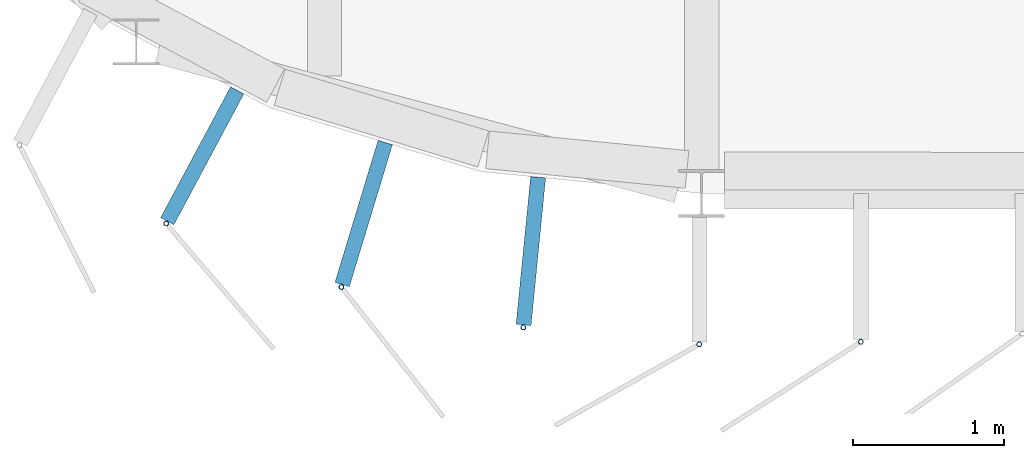
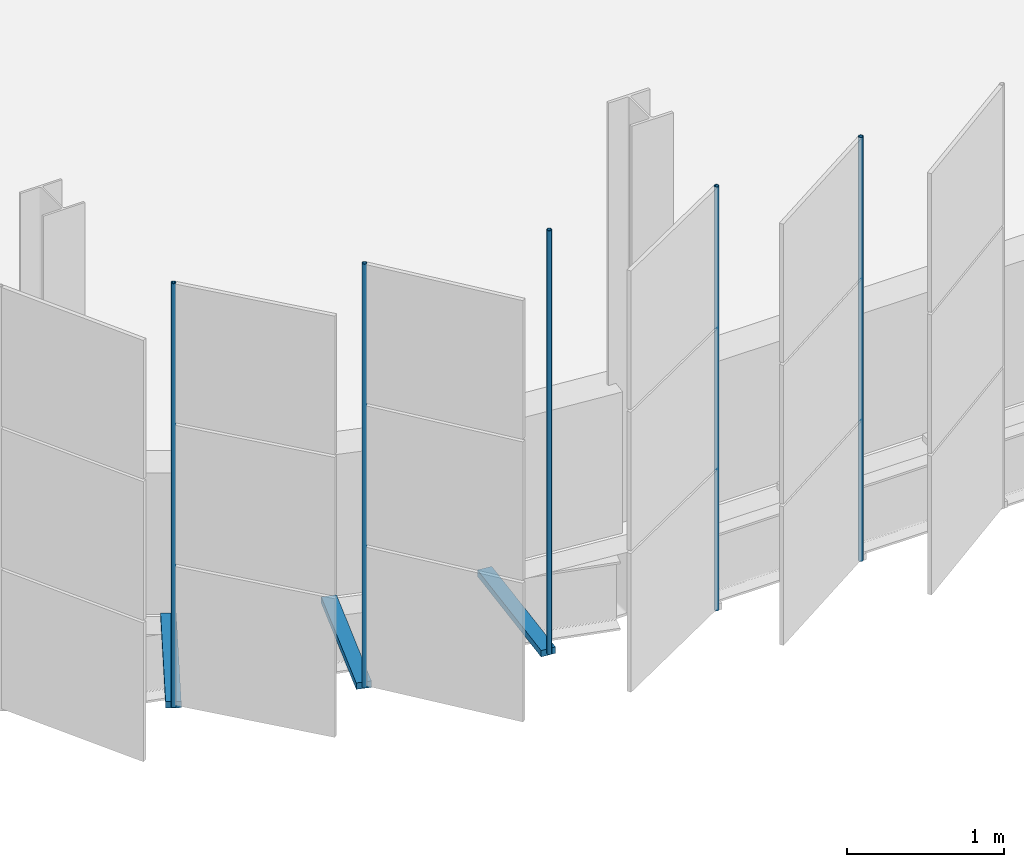
# One storey, part 69 of 199: 8 discrete accessories.
"""IFC4 building model written with IfcOpenShell, lengths in metres."""

from ifc_helpers import new_model, si_unit, direction, frame, origin, origin_2d, place, context, subcontext, project, spatial, rectangle, hollow_circle, extrude, material, material_profile, profile_set, type_object, element, save


model = new_model("IFC4")

# Units and contexts
model_context = context("Model", 3, precision=1e-05, world=origin(), true_north=direction((0.0, 1.0)))
body_context = subcontext(model_context, "Body", "Model", "MODEL_VIEW")
ifc_project = project(units=[si_unit("LENGTHUNIT", "METRE"), si_unit("AREAUNIT", "SQUARE_METRE"), si_unit("VOLUMEUNIT", "CUBIC_METRE"), si_unit("PLANEANGLEUNIT", "RADIAN"), si_unit("MASSUNIT", "GRAM", prefix="KILO")], contexts=[model_context])

# Site, building, storey
site_placement = place(None, origin())
site = spatial("IfcSite", under=ifc_project, at=site_placement, CompositionType="ELEMENT")
building_placement = place(site_placement, origin())
building = spatial("IfcBuilding", under=site, at=building_placement, Name="Parallax Yard Mobility Hub", CompositionType="ELEMENT")
storey_placement = place(building_placement, frame((0.0, 0.0, 9.89990234375)))
storey = spatial("IfcBuildingStorey", under=building, at=storey_placement, Name="L03", CompositionType="ELEMENT", Elevation=9.89990234375)

# Discrete accessories
ifc_material_1 = material(Name="Steel ASTM A36, hot-dip galvanised", Category="steel")
discrete_accessory_type_1 = type_object("IfcDiscreteAccessoryType", Name="Hinge bracket plate 100x50", PredefinedType="BRACKET", material=ifc_material_1)
for number, where, z_axis, x_axis, name in (
    (1, (26.688720703125, 112.749267578125, -0.02490234375), (0.0, 0.0, 1.0), (-0.471396736826, -0.881921264348, 0.0), "Hinge bracket plate bay 72.9 level L03"),
    (2, (27.759521484375, 112.3662109375, -0.02490234375), (0.0, 0.0, 1.0), (-0.290284677254, -0.956940335732, 0.0), "Hinge bracket plate bay 72.10 level L03"),
    (3, (28.8681640625, 112.117431640625, -0.02490234375), (0.0, 0.0, 1.0), (-0.09801714033, -0.995184726672, 0.0), "Hinge bracket plate bay 72.11 level L03"),
):
    element("IfcDiscreteAccessory", number, at=place(storey_placement, frame(where, z_axis=z_axis, x_axis=x_axis)), inside=storey, type_object=discrete_accessory_type_1, Name=name, PredefinedType="BRACKET", context=body_context, shape_type="SweptSolid", body=[
        extrude(rectangle(XDim=0.984130859375, YDim=0.10009765625, at=origin_2d()), origin(), (0.0, 0.0, 1.0), 0.050048828125),
    ])
ifc_material_2 = material(Name="Steel ASTM A500 Gr C, hot-dip galvanised", Category="steel")
ifc_material_profile = material_profile(ifc_material_2, hollow_circle(Radius=0.016845703125, WallThickness=0.003173828125, at=origin_2d()), Name="CHS 33.7x3.2")
ifc_profile_set = profile_set([ifc_material_profile], Name="Steel ASTM A500 Gr C, hot-dip galvanised")
discrete_accessory_type_2 = type_object("IfcDiscreteAccessoryType", Name="Hinge post CHS 33.7x3.2", PredefinedType="BRACKET", material=ifc_profile_set)
for number, where, z_axis, x_axis, name in (
    (4, (26.44921875, 112.30078125, 0.0), (0.0, 0.0, 1.0), (1.0, 0.0, 0.0), "Hinge post bay 72.9 level L03"),
    (5, (27.61181640625, 111.879638671875, 0.0), (0.0, 0.0, 1.0), (1.0, 0.0, 0.0), "Hinge post bay 72.10 level L03"),
    (6, (28.818359375, 111.611572265625, 0.0), (0.0, 0.0, 1.0), (1.0, 0.0, 0.0), "Hinge post bay 72.11 level L03"),
    (7, (29.9853515625, 111.5, 0.0), (0.0, 0.0, 1.0), (1.0, 0.0, 0.0), "Hinge post bay 1.1 level L03"),
    (8, (31.056884765625, 111.51611328125, 0.0), (0.0, 0.0, 1.0), (1.0, 0.0, 0.0), "Hinge post bay 1.2 level L03"),
):
    element("IfcDiscreteAccessory", number, at=place(storey_placement, frame(where, z_axis=z_axis, x_axis=x_axis)), inside=storey, type_object=discrete_accessory_type_2, Name=name, PredefinedType="BRACKET", context=body_context, shape_type="SweptSolid", body=[
        extrude(hollow_circle(Radius=0.016845703125, WallThickness=0.003173828125, at=origin_2d()), origin(), (0.0, 0.0, 1.0), 3.300048828125),
    ])

save(model, "model.ifc")
